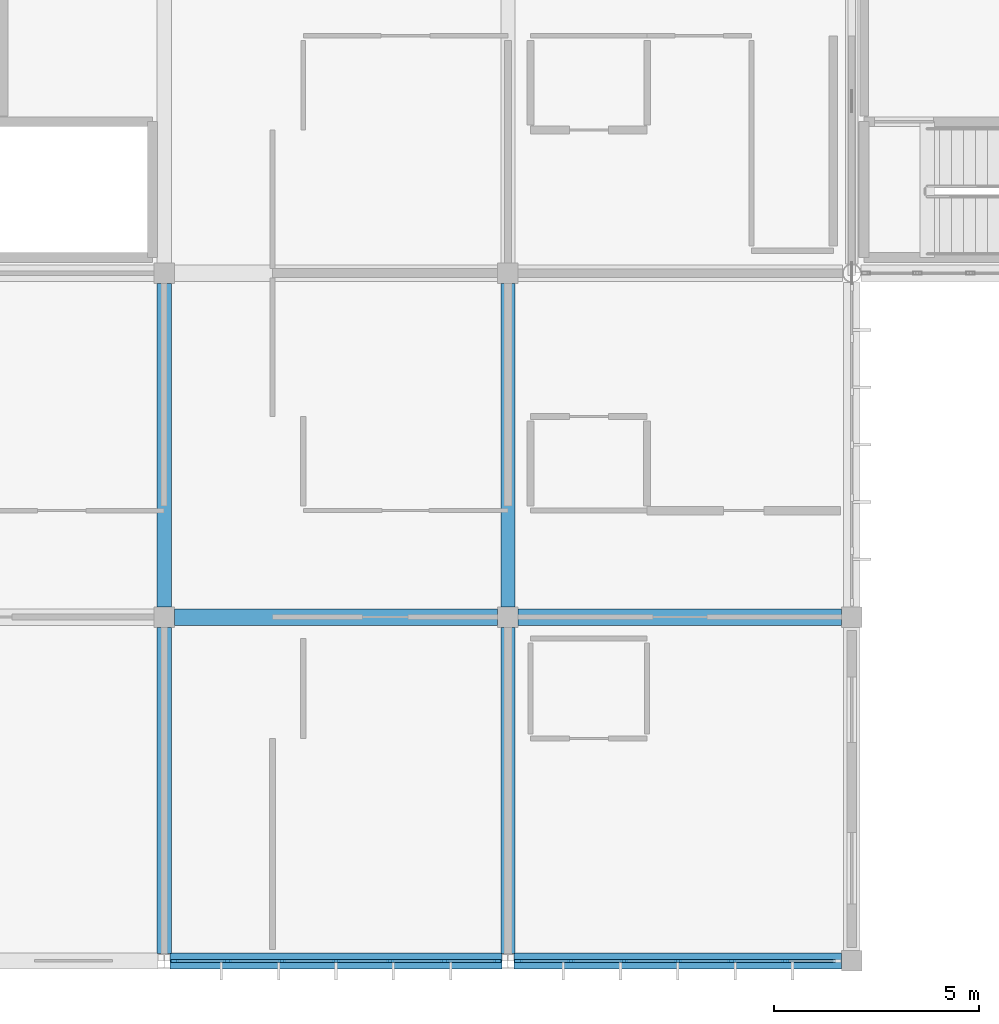
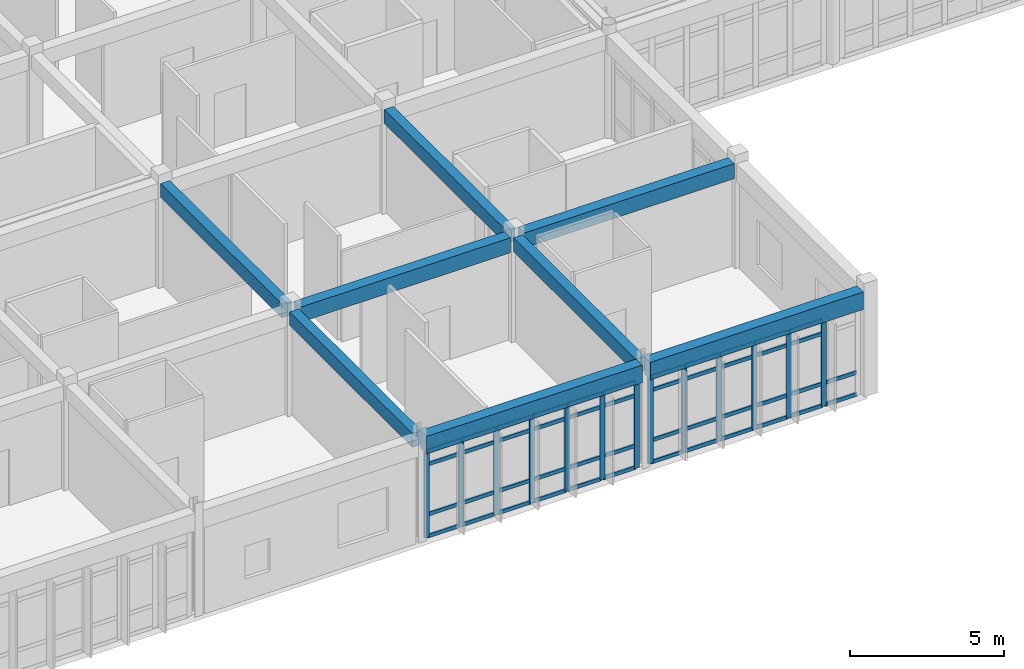
# One storey, part 13 of 144: 59 members, 8 beams, 2 elements without a shape of their own.
"""IFC4 building model written with IfcOpenShell, lengths in metres."""

from ifc_helpers import new_model, si_unit, direction, frame, origin, origin_2d, place, context, subcontext, project, spatial, rectangle, extrude, material, layer, layer_set, material_profile, profile_set, type_object, element, aggregate, save


model = new_model("IFC4")

# Units and contexts
model_context = context("Model", 3, precision=1e-05, world=origin(), true_north=direction((0.0, 1.0)))
body_context = subcontext(model_context, "Body", "Model", "MODEL_VIEW")
ifc_project = project(units=[si_unit("LENGTHUNIT", "METRE"), si_unit("AREAUNIT", "SQUARE_METRE"), si_unit("VOLUMEUNIT", "CUBIC_METRE"), si_unit("PLANEANGLEUNIT", "RADIAN"), si_unit("MASSUNIT", "GRAM", prefix="KILO")], contexts=[model_context])

# Site, building, storey
site_placement = place(None, origin())
site = spatial("IfcSite", under=ifc_project, at=site_placement, CompositionType="ELEMENT")
building_placement = place(site_placement, origin())
building = spatial("IfcBuilding", under=site, at=building_placement, Name="Bramfleet General Hospital", CompositionType="ELEMENT")
storey_placement = place(building_placement, frame((0.0, 0.0, 4.800048828125)))
storey = spatial("IfcBuildingStorey", under=building, at=storey_placement, Name="L01", CompositionType="ELEMENT", Elevation=4.800048828125)

# Beams
ifc_material_1 = material(Name="Concrete C35/45", Category="concrete")
ifc_material_profile_1 = material_profile(ifc_material_1, rectangle(XDim=0.35009765625, YDim=0.550048828125, at=origin_2d()), Name="RC BM 550x350")
ifc_profile_set_1 = profile_set([ifc_material_profile_1], Name="Concrete C35/45")
beam_type_1 = type_object("IfcBeamType", Name="BM-RC550", PredefinedType="BEAM", material=ifc_profile_set_1)
beam_1_placement = place(storey_placement, frame((33.60009765625, 0.179931640625, 3.875), z_axis=(0.0, 1.0, 0.0), x_axis=(-1.0, 0.0, 0.0)))
element("IfcBeam", 1, at=beam_1_placement, inside=storey, type_object=beam_type_1, Name="L01 Grid Beam Y 04-00", PredefinedType="BEAM", context=body_context, shape_type="SweptSolid", body=[
    extrude(rectangle(XDim=0.35009765625, YDim=0.550048828125, at=origin_2d()), origin(), (0.0, 0.0, 1.0), 7.969970703125),
])
beam_2_placement = place(storey_placement, frame((33.60009765625, 8.64990234375, 3.875), z_axis=(0.0, 1.0, 0.0), x_axis=(-1.0, 0.0, 0.0)))
element("IfcBeam", 2, at=beam_2_placement, inside=storey, type_object=beam_type_1, Name="L01 Grid Beam Y 04-01", PredefinedType="BEAM", context=body_context, shape_type="SweptSolid", body=[
    extrude(rectangle(XDim=0.35009765625, YDim=0.550048828125, at=origin_2d()), origin(), (0.0, 0.0, 1.0), 7.900146484375),
])
beam_3_placement = place(storey_placement, frame((42.0, 0.179931640625, 3.875), z_axis=(0.0, 1.0, 0.0), x_axis=(-1.0, 0.0, 0.0)))
element("IfcBeam", 3, at=beam_3_placement, inside=storey, type_object=beam_type_1, Name="L01 Grid Beam Y 05-00", PredefinedType="BEAM", context=body_context, shape_type="SweptSolid", body=[
    extrude(rectangle(XDim=0.35009765625, YDim=0.550048828125, at=origin_2d()), origin(), (0.0, 0.0, 1.0), 7.969970703125),
])
beam_4_placement = place(storey_placement, frame((42.0, 8.64990234375, 3.875), z_axis=(0.0, 1.0, 0.0), x_axis=(-1.0, 0.0, 0.0)))
element("IfcBeam", 4, at=beam_4_placement, inside=storey, type_object=beam_type_1, Name="L01 Grid Beam Y 05-01", PredefinedType="BEAM", context=body_context, shape_type="SweptSolid", body=[
    extrude(rectangle(XDim=0.35009765625, YDim=0.550048828125, at=origin_2d()), origin(), (0.0, 0.0, 1.0), 7.900146484375),
])
ifc_material_profile_2 = material_profile(ifc_material_1, rectangle(XDim=0.39990234375, YDim=0.60009765625, at=origin_2d()), Name="RC BM 600x400")
ifc_profile_set_2 = profile_set([ifc_material_profile_2], Name="Concrete C35/45")
beam_type_2 = type_object("IfcBeamType", Name="BM-RC600", PredefinedType="BEAM", material=ifc_profile_set_2)
for number, where, z_axis, x_axis, name in (
    (5, (33.85009765625, 8.39990234375, 3.849853515625), (1.0, 0.0, 0.0), (0.0, 1.0, 0.0), "L01 Grid Beam X 04-01"),
    (6, (42.25, 8.39990234375, 3.849853515625), (1.0, 0.0, 0.0), (0.0, 1.0, 0.0), "L01 Grid Beam X 05-01"),
):
    element("IfcBeam", number, at=place(storey_placement, frame(where, z_axis=z_axis, x_axis=x_axis)), inside=storey, type_object=beam_type_2, Name=name, PredefinedType="BEAM", context=body_context, shape_type="SweptSolid", body=[
        extrude(rectangle(XDim=0.39990234375, YDim=0.60009765625, at=origin_2d()), origin(), (0.0, 0.0, 1.0), 7.89990234375),
    ])
ifc_material_profile_3 = material_profile(ifc_material_1, rectangle(XDim=0.39990234375, YDim=0.699951171875, at=origin_2d()), Name="RC SP 700x400")
ifc_profile_set_3 = profile_set([ifc_material_profile_3], Name="Concrete C35/45")
beam_type_3 = type_object("IfcBeamType", Name="BM-SP700", PredefinedType="SPANDREL", material=ifc_profile_set_3)
beam_5_placement = place(storey_placement, frame((33.75, 0.0, 3.800048828125), z_axis=(1.0, 0.0, 0.0), x_axis=(0.0, 1.0, 0.0)))
element("IfcBeam", 7, at=beam_5_placement, inside=storey, type_object=beam_type_3, Name="L01 Grid Beam X 04-00", PredefinedType="SPANDREL", context=body_context, shape_type="SweptSolid", body=[
    extrude(rectangle(XDim=0.39990234375, YDim=0.699951171875, at=origin_2d()), origin(), (0.0, 0.0, 1.0), 8.10009765625),
])
beam_6_placement = place(storey_placement, frame((42.14990234375, 0.0, 3.800048828125), z_axis=(1.0, 0.0, 0.0), x_axis=(0.0, 1.0, 0.0)))
element("IfcBeam", 8, at=beam_6_placement, inside=storey, type_object=beam_type_3, Name="L01 Grid Beam X 05-00", PredefinedType="SPANDREL", context=body_context, shape_type="SweptSolid", body=[
    extrude(rectangle(XDim=0.39990234375, YDim=0.699951171875, at=origin_2d()), origin(), (0.0, 0.0, 1.0), 8.0),
])

# Curtain wall, members
ifc_material_2 = material(Name="Anodised aluminium and low-E triple glazing", Category="aluminium")
ifc_layer_1 = layer(ifc_material_2, 0.179931640625, Name="CWT-CW-13")
ifc_layer_set_1 = layer_set([ifc_layer_1], Name="Anodised aluminium and low-E triple glazing")
curtain_wall_type_1 = type_object("IfcCurtainWallType", Name="CWT-CW-13", PredefinedType="USERDEFINED", material=ifc_layer_set_1)
curtain_wall_1_placement = place(storey_placement, origin())
curtain_wall_1 = element("IfcCurtainWall", 9, at=curtain_wall_1_placement, inside=storey, type_object=curtain_wall_type_1, Name="L01 Curtain Wall 85", ObjectType="Stick curtain wall", PredefinedType="USERDEFINED")
ifc_material_3 = material(Name="Structural timber GL28h", Category="wood")
ifc_material_profile_4 = material_profile(ifc_material_3, rectangle(XDim=0.070068359375, YDim=0.18994140625, at=origin_2d()), Name="LARCH 190x70")
ifc_profile_set_4 = profile_set([ifc_material_profile_4], Name="Structural timber GL28h")
member_type_1 = type_object("IfcMemberType", Name="CWM-LARCH450", PredefinedType="MULLION", material=ifc_profile_set_4)
member_1_placement = place(storey_placement, frame((48.7666015625, 0.0, 0.0), z_axis=(0.0, 0.0, 1.0), x_axis=(0.0, -1.0, 0.0)))
member_1 = element("IfcMember", 10, at=member_1_placement, type_object=member_type_1, Name="CW-13 mullion 2", PredefinedType="MULLION", context=body_context, shape_type="SweptSolid", body=[
    extrude(rectangle(XDim=0.070068359375, YDim=0.18994140625, at=origin_2d()), origin(), (0.0, 0.0, 1.0), 3.43994140625),
])
member_2_placement = place(storey_placement, frame((47.458251953125, 0.0, 0.0), z_axis=(0.0, 0.0, 1.0), x_axis=(0.0, -1.0, 0.0)))
member_2 = element("IfcMember", 11, at=member_2_placement, type_object=member_type_1, Name="CW-13 mullion 3", PredefinedType="MULLION", context=body_context, shape_type="SweptSolid", body=[
    extrude(rectangle(XDim=0.070068359375, YDim=0.18994140625, at=origin_2d()), origin(), (0.0, 0.0, 1.0), 3.43994140625),
])
member_3_placement = place(storey_placement, frame((46.14990234375, 0.0, 0.0), z_axis=(0.0, 0.0, 1.0), x_axis=(0.0, -1.0, 0.0)))
member_3 = element("IfcMember", 12, at=member_3_placement, type_object=member_type_1, Name="CW-13 mullion 4", PredefinedType="MULLION", context=body_context, shape_type="SweptSolid", body=[
    extrude(rectangle(XDim=0.070068359375, YDim=0.18994140625, at=origin_2d()), origin(), (0.0, 0.0, 1.0), 3.43994140625),
])
member_4_placement = place(storey_placement, frame((44.841552734375, 0.0, 0.0), z_axis=(0.0, 0.0, 1.0), x_axis=(0.0, -1.0, 0.0)))
member_4 = element("IfcMember", 13, at=member_4_placement, type_object=member_type_1, Name="CW-13 mullion 5", PredefinedType="MULLION", context=body_context, shape_type="SweptSolid", body=[
    extrude(rectangle(XDim=0.070068359375, YDim=0.18994140625, at=origin_2d()), origin(), (0.0, 0.0, 1.0), 3.43994140625),
])
member_5_placement = place(storey_placement, frame((43.533447265625, 0.0, 0.0), z_axis=(0.0, 0.0, 1.0), x_axis=(0.0, -1.0, 0.0)))
member_5 = element("IfcMember", 14, at=member_5_placement, type_object=member_type_1, Name="CW-13 mullion 6", PredefinedType="MULLION", context=body_context, shape_type="SweptSolid", body=[
    extrude(rectangle(XDim=0.070068359375, YDim=0.18994140625, at=origin_2d()), origin(), (0.0, 0.0, 1.0), 3.43994140625),
])
member_6_placement = place(storey_placement, frame((42.260009765625, 0.0, 0.0), z_axis=(0.0, 0.0, 1.0), x_axis=(0.0, -1.0, 0.0)))
member_6 = element("IfcMember", 15, at=member_6_placement, type_object=member_type_1, Name="CW-13 mullion 7", PredefinedType="MULLION", context=body_context, shape_type="SweptSolid", body=[
    extrude(rectangle(XDim=0.070068359375, YDim=0.18994140625, at=origin_2d()), origin(), (0.0, 0.0, 1.0), 3.43994140625),
])

ifc_layer_2 = layer(ifc_material_2, 0.179931640625, Name="CWT-CW-14")
ifc_layer_set_2 = layer_set([ifc_layer_2], Name="Anodised aluminium and low-E triple glazing")
curtain_wall_type_2 = type_object("IfcCurtainWallType", Name="CWT-CW-14", PredefinedType="USERDEFINED", material=ifc_layer_set_2)
curtain_wall_2_placement = place(storey_placement, origin())
curtain_wall_2 = element("IfcCurtainWall", 16, at=curtain_wall_2_placement, inside=storey, type_object=curtain_wall_type_2, Name="L01 Curtain Wall 86", ObjectType="Stick curtain wall", PredefinedType="USERDEFINED")
member_7_placement = place(storey_placement, frame((41.739990234375, 0.0, 0.0), z_axis=(0.0, 0.0, 1.0), x_axis=(0.0, -1.0, 0.0)))
member_7 = element("IfcMember", 17, at=member_7_placement, type_object=member_type_1, Name="CW-14 mullion 1", PredefinedType="MULLION", context=body_context, shape_type="SweptSolid", body=[
    extrude(rectangle(XDim=0.070068359375, YDim=0.18994140625, at=origin_2d()), origin(), (0.0, 0.0, 1.0), 3.43994140625),
])
member_8_placement = place(storey_placement, frame((40.449951171875, 0.0, 0.0), z_axis=(0.0, 0.0, 1.0), x_axis=(0.0, -1.0, 0.0)))
member_8 = element("IfcMember", 18, at=member_8_placement, type_object=member_type_1, Name="CW-14 mullion 2", PredefinedType="MULLION", context=body_context, shape_type="SweptSolid", body=[
    extrude(rectangle(XDim=0.070068359375, YDim=0.18994140625, at=origin_2d()), origin(), (0.0, 0.0, 1.0), 3.43994140625),
])
member_9_placement = place(storey_placement, frame((39.125, 0.0, 0.0), z_axis=(0.0, 0.0, 1.0), x_axis=(0.0, -1.0, 0.0)))
member_9 = element("IfcMember", 19, at=member_9_placement, type_object=member_type_1, Name="CW-14 mullion 3", PredefinedType="MULLION", context=body_context, shape_type="SweptSolid", body=[
    extrude(rectangle(XDim=0.070068359375, YDim=0.18994140625, at=origin_2d()), origin(), (0.0, 0.0, 1.0), 3.43994140625),
])
member_10_placement = place(storey_placement, frame((37.800048828125, 0.0, 0.0), z_axis=(0.0, 0.0, 1.0), x_axis=(0.0, -1.0, 0.0)))
member_10 = element("IfcMember", 20, at=member_10_placement, type_object=member_type_1, Name="CW-14 mullion 4", PredefinedType="MULLION", context=body_context, shape_type="SweptSolid", body=[
    extrude(rectangle(XDim=0.070068359375, YDim=0.18994140625, at=origin_2d()), origin(), (0.0, 0.0, 1.0), 3.43994140625),
])
member_11_placement = place(storey_placement, frame((36.47509765625, 0.0, 0.0), z_axis=(0.0, 0.0, 1.0), x_axis=(0.0, -1.0, 0.0)))
member_11 = element("IfcMember", 21, at=member_11_placement, type_object=member_type_1, Name="CW-14 mullion 5", PredefinedType="MULLION", context=body_context, shape_type="SweptSolid", body=[
    extrude(rectangle(XDim=0.070068359375, YDim=0.18994140625, at=origin_2d()), origin(), (0.0, 0.0, 1.0), 3.43994140625),
])
member_12_placement = place(storey_placement, frame((35.14990234375, 0.0, 0.0), z_axis=(0.0, 0.0, 1.0), x_axis=(0.0, -1.0, 0.0)))
member_12 = element("IfcMember", 22, at=member_12_placement, type_object=member_type_1, Name="CW-14 mullion 6", PredefinedType="MULLION", context=body_context, shape_type="SweptSolid", body=[
    extrude(rectangle(XDim=0.070068359375, YDim=0.18994140625, at=origin_2d()), origin(), (0.0, 0.0, 1.0), 3.43994140625),
])
member_13_placement = place(storey_placement, frame((33.860107421875, 0.0, 0.0), z_axis=(0.0, 0.0, 1.0), x_axis=(0.0, -1.0, 0.0)))
member_13 = element("IfcMember", 23, at=member_13_placement, type_object=member_type_1, Name="CW-14 mullion 7", PredefinedType="MULLION", context=body_context, shape_type="SweptSolid", body=[
    extrude(rectangle(XDim=0.070068359375, YDim=0.18994140625, at=origin_2d()), origin(), (0.0, 0.0, 1.0), 3.43994140625),
])

# Member
ifc_material_profile_5 = material_profile(ifc_material_3, rectangle(XDim=0.06494140625, YDim=0.14990234375, at=origin_2d()), Name="LARCH 150x65")
ifc_profile_set_5 = profile_set([ifc_material_profile_5], Name="Structural timber GL28h")
member_type_2 = type_object("IfcMemberType", Name="CWT-LARCH220", PredefinedType="USERDEFINED", material=ifc_profile_set_5)
member_14_placement = place(storey_placement, frame((50.0048828125, 0.0, 0.032470703125), z_axis=(-1.0, 0.0, 0.0), x_axis=(0.0, -1.0, 0.0)))
member_14 = element("IfcMember", 24, at=member_14_placement, type_object=member_type_2, Name="CW-13 transom 1.1", ObjectType="TRANSOM", PredefinedType="USERDEFINED", context=body_context, shape_type="SweptSolid", body=[
    extrude(rectangle(XDim=0.06494140625, YDim=0.14990234375, at=origin_2d()), origin(), (0.0, 0.0, 1.0), 1.203125),
])

member_15_placement = place(storey_placement, frame((50.0048828125, 0.0, 0.89990234375), z_axis=(-1.0, 0.0, 0.0), x_axis=(0.0, -1.0, 0.0)))
member_15 = element("IfcMember", 25, at=member_15_placement, type_object=member_type_2, Name="CW-13 transom 1.2", ObjectType="TRANSOM", PredefinedType="USERDEFINED", context=body_context, shape_type="SweptSolid", body=[
    extrude(rectangle(XDim=0.06494140625, YDim=0.14990234375, at=origin_2d()), origin(), (0.0, 0.0, 1.0), 1.203125),
])

member_16_placement = place(storey_placement, frame((48.731689453125, 0.0, 0.032470703125), z_axis=(-1.0, 0.0, 0.0), x_axis=(0.0, -1.0, 0.0)))
member_16 = element("IfcMember", 26, at=member_16_placement, type_object=member_type_2, Name="CW-13 transom 2.1", ObjectType="TRANSOM", PredefinedType="USERDEFINED", context=body_context, shape_type="SweptSolid", body=[
    extrude(rectangle(XDim=0.06494140625, YDim=0.14990234375, at=origin_2d()), origin(), (0.0, 0.0, 1.0), 1.23828125),
])

member_17_placement = place(storey_placement, frame((48.731689453125, 0.0, 0.89990234375), z_axis=(-1.0, 0.0, 0.0), x_axis=(0.0, -1.0, 0.0)))
member_17 = element("IfcMember", 27, at=member_17_placement, type_object=member_type_2, Name="CW-13 transom 2.2", ObjectType="TRANSOM", PredefinedType="USERDEFINED", context=body_context, shape_type="SweptSolid", body=[
    extrude(rectangle(XDim=0.06494140625, YDim=0.14990234375, at=origin_2d()), origin(), (0.0, 0.0, 1.0), 1.23828125),
])

member_18_placement = place(storey_placement, frame((48.731689453125, 0.0, 2.889892578125), z_axis=(-1.0, 0.0, 0.0), x_axis=(0.0, -1.0, 0.0)))
member_18 = element("IfcMember", 28, at=member_18_placement, type_object=member_type_2, Name="CW-13 transom 2.3", ObjectType="TRANSOM", PredefinedType="USERDEFINED", context=body_context, shape_type="SweptSolid", body=[
    extrude(rectangle(XDim=0.06494140625, YDim=0.14990234375, at=origin_2d()), origin(), (0.0, 0.0, 1.0), 1.23828125),
])

member_19_placement = place(storey_placement, frame((48.731689453125, 0.0, 3.407470703125), z_axis=(-1.0, 0.0, 0.0), x_axis=(0.0, -1.0, 0.0)))
member_19 = element("IfcMember", 29, at=member_19_placement, type_object=member_type_2, Name="CW-13 transom 2.4", ObjectType="TRANSOM", PredefinedType="USERDEFINED", context=body_context, shape_type="SweptSolid", body=[
    extrude(rectangle(XDim=0.06494140625, YDim=0.14990234375, at=origin_2d()), origin(), (0.0, 0.0, 1.0), 1.23828125),
])

member_20_placement = place(storey_placement, frame((47.42333984375, 0.0, 0.032470703125), z_axis=(-1.0, 0.0, 0.0), x_axis=(0.0, -1.0, 0.0)))
member_20 = element("IfcMember", 30, at=member_20_placement, type_object=member_type_2, Name="CW-13 transom 3.1", ObjectType="TRANSOM", PredefinedType="USERDEFINED", context=body_context, shape_type="SweptSolid", body=[
    extrude(rectangle(XDim=0.06494140625, YDim=0.14990234375, at=origin_2d()), origin(), (0.0, 0.0, 1.0), 1.23828125),
])

member_21_placement = place(storey_placement, frame((47.42333984375, 0.0, 0.89990234375), z_axis=(-1.0, 0.0, 0.0), x_axis=(0.0, -1.0, 0.0)))
member_21 = element("IfcMember", 31, at=member_21_placement, type_object=member_type_2, Name="CW-13 transom 3.2", ObjectType="TRANSOM", PredefinedType="USERDEFINED", context=body_context, shape_type="SweptSolid", body=[
    extrude(rectangle(XDim=0.06494140625, YDim=0.14990234375, at=origin_2d()), origin(), (0.0, 0.0, 1.0), 1.23828125),
])

member_22_placement = place(storey_placement, frame((47.42333984375, 0.0, 2.889892578125), z_axis=(-1.0, 0.0, 0.0), x_axis=(0.0, -1.0, 0.0)))
member_22 = element("IfcMember", 32, at=member_22_placement, type_object=member_type_2, Name="CW-13 transom 3.3", ObjectType="TRANSOM", PredefinedType="USERDEFINED", context=body_context, shape_type="SweptSolid", body=[
    extrude(rectangle(XDim=0.06494140625, YDim=0.14990234375, at=origin_2d()), origin(), (0.0, 0.0, 1.0), 1.23828125),
])

member_23_placement = place(storey_placement, frame((47.42333984375, 0.0, 3.407470703125), z_axis=(-1.0, 0.0, 0.0), x_axis=(0.0, -1.0, 0.0)))
member_23 = element("IfcMember", 33, at=member_23_placement, type_object=member_type_2, Name="CW-13 transom 3.4", ObjectType="TRANSOM", PredefinedType="USERDEFINED", context=body_context, shape_type="SweptSolid", body=[
    extrude(rectangle(XDim=0.06494140625, YDim=0.14990234375, at=origin_2d()), origin(), (0.0, 0.0, 1.0), 1.23828125),
])

member_24_placement = place(storey_placement, frame((46.114990234375, 0.0, 0.032470703125), z_axis=(-1.0, 0.0, 0.0), x_axis=(0.0, -1.0, 0.0)))
member_24 = element("IfcMember", 34, at=member_24_placement, type_object=member_type_2, Name="CW-13 transom 4.1", ObjectType="TRANSOM", PredefinedType="USERDEFINED", context=body_context, shape_type="SweptSolid", body=[
    extrude(rectangle(XDim=0.06494140625, YDim=0.14990234375, at=origin_2d()), origin(), (0.0, 0.0, 1.0), 1.23828125),
])

member_25_placement = place(storey_placement, frame((46.114990234375, 0.0, 0.89990234375), z_axis=(-1.0, 0.0, 0.0), x_axis=(0.0, -1.0, 0.0)))
member_25 = element("IfcMember", 35, at=member_25_placement, type_object=member_type_2, Name="CW-13 transom 4.2", ObjectType="TRANSOM", PredefinedType="USERDEFINED", context=body_context, shape_type="SweptSolid", body=[
    extrude(rectangle(XDim=0.06494140625, YDim=0.14990234375, at=origin_2d()), origin(), (0.0, 0.0, 1.0), 1.23828125),
])

member_26_placement = place(storey_placement, frame((46.114990234375, 0.0, 2.889892578125), z_axis=(-1.0, 0.0, 0.0), x_axis=(0.0, -1.0, 0.0)))
member_26 = element("IfcMember", 36, at=member_26_placement, type_object=member_type_2, Name="CW-13 transom 4.3", ObjectType="TRANSOM", PredefinedType="USERDEFINED", context=body_context, shape_type="SweptSolid", body=[
    extrude(rectangle(XDim=0.06494140625, YDim=0.14990234375, at=origin_2d()), origin(), (0.0, 0.0, 1.0), 1.23828125),
])

member_27_placement = place(storey_placement, frame((46.114990234375, 0.0, 3.407470703125), z_axis=(-1.0, 0.0, 0.0), x_axis=(0.0, -1.0, 0.0)))
member_27 = element("IfcMember", 37, at=member_27_placement, type_object=member_type_2, Name="CW-13 transom 4.4", ObjectType="TRANSOM", PredefinedType="USERDEFINED", context=body_context, shape_type="SweptSolid", body=[
    extrude(rectangle(XDim=0.06494140625, YDim=0.14990234375, at=origin_2d()), origin(), (0.0, 0.0, 1.0), 1.23828125),
])

member_28_placement = place(storey_placement, frame((44.806640625, 0.0, 0.032470703125), z_axis=(-1.0, 0.0, 0.0), x_axis=(0.0, -1.0, 0.0)))
member_28 = element("IfcMember", 38, at=member_28_placement, type_object=member_type_2, Name="CW-13 transom 5.1", ObjectType="TRANSOM", PredefinedType="USERDEFINED", context=body_context, shape_type="SweptSolid", body=[
    extrude(rectangle(XDim=0.06494140625, YDim=0.14990234375, at=origin_2d()), origin(), (0.0, 0.0, 1.0), 1.23828125),
])

member_29_placement = place(storey_placement, frame((44.806640625, 0.0, 0.89990234375), z_axis=(-1.0, 0.0, 0.0), x_axis=(0.0, -1.0, 0.0)))
member_29 = element("IfcMember", 39, at=member_29_placement, type_object=member_type_2, Name="CW-13 transom 5.2", ObjectType="TRANSOM", PredefinedType="USERDEFINED", context=body_context, shape_type="SweptSolid", body=[
    extrude(rectangle(XDim=0.06494140625, YDim=0.14990234375, at=origin_2d()), origin(), (0.0, 0.0, 1.0), 1.23828125),
])

member_30_placement = place(storey_placement, frame((44.806640625, 0.0, 2.889892578125), z_axis=(-1.0, 0.0, 0.0), x_axis=(0.0, -1.0, 0.0)))
member_30 = element("IfcMember", 40, at=member_30_placement, type_object=member_type_2, Name="CW-13 transom 5.3", ObjectType="TRANSOM", PredefinedType="USERDEFINED", context=body_context, shape_type="SweptSolid", body=[
    extrude(rectangle(XDim=0.06494140625, YDim=0.14990234375, at=origin_2d()), origin(), (0.0, 0.0, 1.0), 1.23828125),
])

member_31_placement = place(storey_placement, frame((44.806640625, 0.0, 3.407470703125), z_axis=(-1.0, 0.0, 0.0), x_axis=(0.0, -1.0, 0.0)))
member_31 = element("IfcMember", 41, at=member_31_placement, type_object=member_type_2, Name="CW-13 transom 5.4", ObjectType="TRANSOM", PredefinedType="USERDEFINED", context=body_context, shape_type="SweptSolid", body=[
    extrude(rectangle(XDim=0.06494140625, YDim=0.14990234375, at=origin_2d()), origin(), (0.0, 0.0, 1.0), 1.23828125),
])

member_32_placement = place(storey_placement, frame((43.498291015625, 0.0, 0.032470703125), z_axis=(-1.0, 0.0, 0.0), x_axis=(0.0, -1.0, 0.0)))
member_32 = element("IfcMember", 42, at=member_32_placement, type_object=member_type_2, Name="CW-13 transom 6.1", ObjectType="TRANSOM", PredefinedType="USERDEFINED", context=body_context, shape_type="SweptSolid", body=[
    extrude(rectangle(XDim=0.06494140625, YDim=0.14990234375, at=origin_2d()), origin(), (0.0, 0.0, 1.0), 1.203369140625),
])

member_33_placement = place(storey_placement, frame((43.498291015625, 0.0, 0.89990234375), z_axis=(-1.0, 0.0, 0.0), x_axis=(0.0, -1.0, 0.0)))
member_33 = element("IfcMember", 43, at=member_33_placement, type_object=member_type_2, Name="CW-13 transom 6.2", ObjectType="TRANSOM", PredefinedType="USERDEFINED", context=body_context, shape_type="SweptSolid", body=[
    extrude(rectangle(XDim=0.06494140625, YDim=0.14990234375, at=origin_2d()), origin(), (0.0, 0.0, 1.0), 1.203369140625),
])

member_34_placement = place(storey_placement, frame((43.498291015625, 0.0, 2.889892578125), z_axis=(-1.0, 0.0, 0.0), x_axis=(0.0, -1.0, 0.0)))
member_34 = element("IfcMember", 44, at=member_34_placement, type_object=member_type_2, Name="CW-13 transom 6.3", ObjectType="TRANSOM", PredefinedType="USERDEFINED", context=body_context, shape_type="SweptSolid", body=[
    extrude(rectangle(XDim=0.06494140625, YDim=0.14990234375, at=origin_2d()), origin(), (0.0, 0.0, 1.0), 1.203369140625),
])

member_35_placement = place(storey_placement, frame((43.498291015625, 0.0, 3.407470703125), z_axis=(-1.0, 0.0, 0.0), x_axis=(0.0, -1.0, 0.0)))
member_35 = element("IfcMember", 45, at=member_35_placement, type_object=member_type_2, Name="CW-13 transom 6.4", ObjectType="TRANSOM", PredefinedType="USERDEFINED", context=body_context, shape_type="SweptSolid", body=[
    extrude(rectangle(XDim=0.06494140625, YDim=0.14990234375, at=origin_2d()), origin(), (0.0, 0.0, 1.0), 1.203369140625),
])

aggregate(curtain_wall_1, [member_1, member_2, member_3, member_4, member_5, member_6, member_14, member_15, member_16, member_17, member_18, member_19, member_20, member_21, member_22, member_23, member_24, member_25, member_26, member_27, member_28, member_29, member_30, member_31, member_32, member_33, member_34, member_35])

member_36_placement = place(storey_placement, frame((41.705078125, 0.0, 0.032470703125), z_axis=(-1.0, 0.0, 0.0), x_axis=(0.0, -1.0, 0.0)))
member_36 = element("IfcMember", 46, at=member_36_placement, type_object=member_type_2, Name="CW-14 transom 1.1", ObjectType="TRANSOM", PredefinedType="USERDEFINED", context=body_context, shape_type="SweptSolid", body=[
    extrude(rectangle(XDim=0.06494140625, YDim=0.14990234375, at=origin_2d()), origin(), (0.0, 0.0, 1.0), 1.219970703125),
])

member_37_placement = place(storey_placement, frame((41.705078125, 0.0, 0.89990234375), z_axis=(-1.0, 0.0, 0.0), x_axis=(0.0, -1.0, 0.0)))
member_37 = element("IfcMember", 47, at=member_37_placement, type_object=member_type_2, Name="CW-14 transom 1.2", ObjectType="TRANSOM", PredefinedType="USERDEFINED", context=body_context, shape_type="SweptSolid", body=[
    extrude(rectangle(XDim=0.06494140625, YDim=0.14990234375, at=origin_2d()), origin(), (0.0, 0.0, 1.0), 1.219970703125),
])

member_38_placement = place(storey_placement, frame((41.705078125, 0.0, 2.889892578125), z_axis=(-1.0, 0.0, 0.0), x_axis=(0.0, -1.0, 0.0)))
member_38 = element("IfcMember", 48, at=member_38_placement, type_object=member_type_2, Name="CW-14 transom 1.3", ObjectType="TRANSOM", PredefinedType="USERDEFINED", context=body_context, shape_type="SweptSolid", body=[
    extrude(rectangle(XDim=0.06494140625, YDim=0.14990234375, at=origin_2d()), origin(), (0.0, 0.0, 1.0), 1.219970703125),
])

member_39_placement = place(storey_placement, frame((41.705078125, 0.0, 3.407470703125), z_axis=(-1.0, 0.0, 0.0), x_axis=(0.0, -1.0, 0.0)))
member_39 = element("IfcMember", 49, at=member_39_placement, type_object=member_type_2, Name="CW-14 transom 1.4", ObjectType="TRANSOM", PredefinedType="USERDEFINED", context=body_context, shape_type="SweptSolid", body=[
    extrude(rectangle(XDim=0.06494140625, YDim=0.14990234375, at=origin_2d()), origin(), (0.0, 0.0, 1.0), 1.219970703125),
])

member_40_placement = place(storey_placement, frame((40.4150390625, 0.0, 0.032470703125), z_axis=(-1.0, 0.0, 0.0), x_axis=(0.0, -1.0, 0.0)))
member_40 = element("IfcMember", 50, at=member_40_placement, type_object=member_type_2, Name="CW-14 transom 2.1", ObjectType="TRANSOM", PredefinedType="USERDEFINED", context=body_context, shape_type="SweptSolid", body=[
    extrude(rectangle(XDim=0.06494140625, YDim=0.14990234375, at=origin_2d()), origin(), (0.0, 0.0, 1.0), 1.255126953125),
])

member_41_placement = place(storey_placement, frame((40.4150390625, 0.0, 0.89990234375), z_axis=(-1.0, 0.0, 0.0), x_axis=(0.0, -1.0, 0.0)))
member_41 = element("IfcMember", 51, at=member_41_placement, type_object=member_type_2, Name="CW-14 transom 2.2", ObjectType="TRANSOM", PredefinedType="USERDEFINED", context=body_context, shape_type="SweptSolid", body=[
    extrude(rectangle(XDim=0.06494140625, YDim=0.14990234375, at=origin_2d()), origin(), (0.0, 0.0, 1.0), 1.255126953125),
])

member_42_placement = place(storey_placement, frame((40.4150390625, 0.0, 2.889892578125), z_axis=(-1.0, 0.0, 0.0), x_axis=(0.0, -1.0, 0.0)))
member_42 = element("IfcMember", 52, at=member_42_placement, type_object=member_type_2, Name="CW-14 transom 2.3", ObjectType="TRANSOM", PredefinedType="USERDEFINED", context=body_context, shape_type="SweptSolid", body=[
    extrude(rectangle(XDim=0.06494140625, YDim=0.14990234375, at=origin_2d()), origin(), (0.0, 0.0, 1.0), 1.255126953125),
])

member_43_placement = place(storey_placement, frame((40.4150390625, 0.0, 3.407470703125), z_axis=(-1.0, 0.0, 0.0), x_axis=(0.0, -1.0, 0.0)))
member_43 = element("IfcMember", 53, at=member_43_placement, type_object=member_type_2, Name="CW-14 transom 2.4", ObjectType="TRANSOM", PredefinedType="USERDEFINED", context=body_context, shape_type="SweptSolid", body=[
    extrude(rectangle(XDim=0.06494140625, YDim=0.14990234375, at=origin_2d()), origin(), (0.0, 0.0, 1.0), 1.255126953125),
])

member_44_placement = place(storey_placement, frame((39.090087890625, 0.0, 0.032470703125), z_axis=(-1.0, 0.0, 0.0), x_axis=(0.0, -1.0, 0.0)))
member_44 = element("IfcMember", 54, at=member_44_placement, type_object=member_type_2, Name="CW-14 transom 3.1", ObjectType="TRANSOM", PredefinedType="USERDEFINED", context=body_context, shape_type="SweptSolid", body=[
    extrude(rectangle(XDim=0.06494140625, YDim=0.14990234375, at=origin_2d()), origin(), (0.0, 0.0, 1.0), 1.255126953125),
])

member_45_placement = place(storey_placement, frame((39.090087890625, 0.0, 0.89990234375), z_axis=(-1.0, 0.0, 0.0), x_axis=(0.0, -1.0, 0.0)))
member_45 = element("IfcMember", 55, at=member_45_placement, type_object=member_type_2, Name="CW-14 transom 3.2", ObjectType="TRANSOM", PredefinedType="USERDEFINED", context=body_context, shape_type="SweptSolid", body=[
    extrude(rectangle(XDim=0.06494140625, YDim=0.14990234375, at=origin_2d()), origin(), (0.0, 0.0, 1.0), 1.255126953125),
])

member_46_placement = place(storey_placement, frame((39.090087890625, 0.0, 2.889892578125), z_axis=(-1.0, 0.0, 0.0), x_axis=(0.0, -1.0, 0.0)))
member_46 = element("IfcMember", 56, at=member_46_placement, type_object=member_type_2, Name="CW-14 transom 3.3", ObjectType="TRANSOM", PredefinedType="USERDEFINED", context=body_context, shape_type="SweptSolid", body=[
    extrude(rectangle(XDim=0.06494140625, YDim=0.14990234375, at=origin_2d()), origin(), (0.0, 0.0, 1.0), 1.255126953125),
])

member_47_placement = place(storey_placement, frame((39.090087890625, 0.0, 3.407470703125), z_axis=(-1.0, 0.0, 0.0), x_axis=(0.0, -1.0, 0.0)))
member_47 = element("IfcMember", 57, at=member_47_placement, type_object=member_type_2, Name="CW-14 transom 3.4", ObjectType="TRANSOM", PredefinedType="USERDEFINED", context=body_context, shape_type="SweptSolid", body=[
    extrude(rectangle(XDim=0.06494140625, YDim=0.14990234375, at=origin_2d()), origin(), (0.0, 0.0, 1.0), 1.255126953125),
])

member_48_placement = place(storey_placement, frame((37.764892578125, 0.0, 0.032470703125), z_axis=(-1.0, 0.0, 0.0), x_axis=(0.0, -1.0, 0.0)))
member_48 = element("IfcMember", 58, at=member_48_placement, type_object=member_type_2, Name="CW-14 transom 4.1", ObjectType="TRANSOM", PredefinedType="USERDEFINED", context=body_context, shape_type="SweptSolid", body=[
    extrude(rectangle(XDim=0.06494140625, YDim=0.14990234375, at=origin_2d()), origin(), (0.0, 0.0, 1.0), 1.2548828125),
])

member_49_placement = place(storey_placement, frame((37.764892578125, 0.0, 0.89990234375), z_axis=(-1.0, 0.0, 0.0), x_axis=(0.0, -1.0, 0.0)))
member_49 = element("IfcMember", 59, at=member_49_placement, type_object=member_type_2, Name="CW-14 transom 4.2", ObjectType="TRANSOM", PredefinedType="USERDEFINED", context=body_context, shape_type="SweptSolid", body=[
    extrude(rectangle(XDim=0.06494140625, YDim=0.14990234375, at=origin_2d()), origin(), (0.0, 0.0, 1.0), 1.2548828125),
])

member_50_placement = place(storey_placement, frame((37.764892578125, 0.0, 2.889892578125), z_axis=(-1.0, 0.0, 0.0), x_axis=(0.0, -1.0, 0.0)))
member_50 = element("IfcMember", 60, at=member_50_placement, type_object=member_type_2, Name="CW-14 transom 4.3", ObjectType="TRANSOM", PredefinedType="USERDEFINED", context=body_context, shape_type="SweptSolid", body=[
    extrude(rectangle(XDim=0.06494140625, YDim=0.14990234375, at=origin_2d()), origin(), (0.0, 0.0, 1.0), 1.2548828125),
])

member_51_placement = place(storey_placement, frame((37.764892578125, 0.0, 3.407470703125), z_axis=(-1.0, 0.0, 0.0), x_axis=(0.0, -1.0, 0.0)))
member_51 = element("IfcMember", 61, at=member_51_placement, type_object=member_type_2, Name="CW-14 transom 4.4", ObjectType="TRANSOM", PredefinedType="USERDEFINED", context=body_context, shape_type="SweptSolid", body=[
    extrude(rectangle(XDim=0.06494140625, YDim=0.14990234375, at=origin_2d()), origin(), (0.0, 0.0, 1.0), 1.2548828125),
])

member_52_placement = place(storey_placement, frame((36.43994140625, 0.0, 0.032470703125), z_axis=(-1.0, 0.0, 0.0), x_axis=(0.0, -1.0, 0.0)))
member_52 = element("IfcMember", 62, at=member_52_placement, type_object=member_type_2, Name="CW-14 transom 5.1", ObjectType="TRANSOM", PredefinedType="USERDEFINED", context=body_context, shape_type="SweptSolid", body=[
    extrude(rectangle(XDim=0.06494140625, YDim=0.14990234375, at=origin_2d()), origin(), (0.0, 0.0, 1.0), 1.2548828125),
])

member_53_placement = place(storey_placement, frame((36.43994140625, 0.0, 0.89990234375), z_axis=(-1.0, 0.0, 0.0), x_axis=(0.0, -1.0, 0.0)))
member_53 = element("IfcMember", 63, at=member_53_placement, type_object=member_type_2, Name="CW-14 transom 5.2", ObjectType="TRANSOM", PredefinedType="USERDEFINED", context=body_context, shape_type="SweptSolid", body=[
    extrude(rectangle(XDim=0.06494140625, YDim=0.14990234375, at=origin_2d()), origin(), (0.0, 0.0, 1.0), 1.2548828125),
])

member_54_placement = place(storey_placement, frame((36.43994140625, 0.0, 2.889892578125), z_axis=(-1.0, 0.0, 0.0), x_axis=(0.0, -1.0, 0.0)))
member_54 = element("IfcMember", 64, at=member_54_placement, type_object=member_type_2, Name="CW-14 transom 5.3", ObjectType="TRANSOM", PredefinedType="USERDEFINED", context=body_context, shape_type="SweptSolid", body=[
    extrude(rectangle(XDim=0.06494140625, YDim=0.14990234375, at=origin_2d()), origin(), (0.0, 0.0, 1.0), 1.2548828125),
])

member_55_placement = place(storey_placement, frame((36.43994140625, 0.0, 3.407470703125), z_axis=(-1.0, 0.0, 0.0), x_axis=(0.0, -1.0, 0.0)))
member_55 = element("IfcMember", 65, at=member_55_placement, type_object=member_type_2, Name="CW-14 transom 5.4", ObjectType="TRANSOM", PredefinedType="USERDEFINED", context=body_context, shape_type="SweptSolid", body=[
    extrude(rectangle(XDim=0.06494140625, YDim=0.14990234375, at=origin_2d()), origin(), (0.0, 0.0, 1.0), 1.2548828125),
])

member_56_placement = place(storey_placement, frame((35.114990234375, 0.0, 0.032470703125), z_axis=(-1.0, 0.0, 0.0), x_axis=(0.0, -1.0, 0.0)))
member_56 = element("IfcMember", 66, at=member_56_placement, type_object=member_type_2, Name="CW-14 transom 6.1", ObjectType="TRANSOM", PredefinedType="USERDEFINED", context=body_context, shape_type="SweptSolid", body=[
    extrude(rectangle(XDim=0.06494140625, YDim=0.14990234375, at=origin_2d()), origin(), (0.0, 0.0, 1.0), 1.219970703125),
])

member_57_placement = place(storey_placement, frame((35.114990234375, 0.0, 0.89990234375), z_axis=(-1.0, 0.0, 0.0), x_axis=(0.0, -1.0, 0.0)))
member_57 = element("IfcMember", 67, at=member_57_placement, type_object=member_type_2, Name="CW-14 transom 6.2", ObjectType="TRANSOM", PredefinedType="USERDEFINED", context=body_context, shape_type="SweptSolid", body=[
    extrude(rectangle(XDim=0.06494140625, YDim=0.14990234375, at=origin_2d()), origin(), (0.0, 0.0, 1.0), 1.219970703125),
])

member_58_placement = place(storey_placement, frame((35.114990234375, 0.0, 2.889892578125), z_axis=(-1.0, 0.0, 0.0), x_axis=(0.0, -1.0, 0.0)))
member_58 = element("IfcMember", 68, at=member_58_placement, type_object=member_type_2, Name="CW-14 transom 6.3", ObjectType="TRANSOM", PredefinedType="USERDEFINED", context=body_context, shape_type="SweptSolid", body=[
    extrude(rectangle(XDim=0.06494140625, YDim=0.14990234375, at=origin_2d()), origin(), (0.0, 0.0, 1.0), 1.219970703125),
])

member_59_placement = place(storey_placement, frame((35.114990234375, 0.0, 3.407470703125), z_axis=(-1.0, 0.0, 0.0), x_axis=(0.0, -1.0, 0.0)))
member_59 = element("IfcMember", 69, at=member_59_placement, type_object=member_type_2, Name="CW-14 transom 6.4", ObjectType="TRANSOM", PredefinedType="USERDEFINED", context=body_context, shape_type="SweptSolid", body=[
    extrude(rectangle(XDim=0.06494140625, YDim=0.14990234375, at=origin_2d()), origin(), (0.0, 0.0, 1.0), 1.219970703125),
])

aggregate(curtain_wall_2, [member_7, member_8, member_9, member_10, member_11, member_12, member_13, member_36, member_37, member_38, member_39, member_40, member_41, member_42, member_43, member_44, member_45, member_46, member_47, member_48, member_49, member_50, member_51, member_52, member_53, member_54, member_55, member_56, member_57, member_58, member_59])

save(model, "model.ifc")
